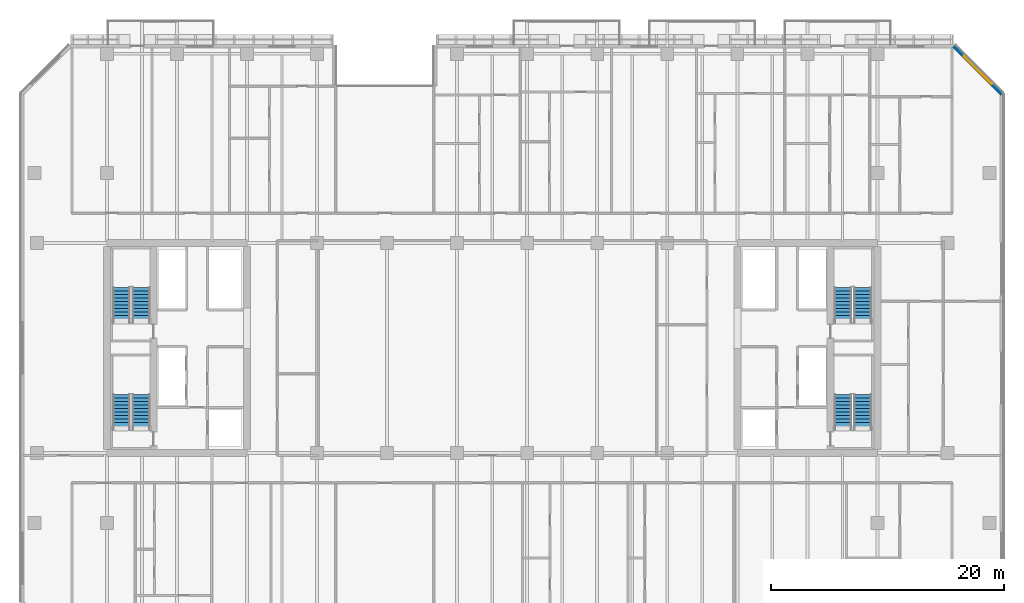
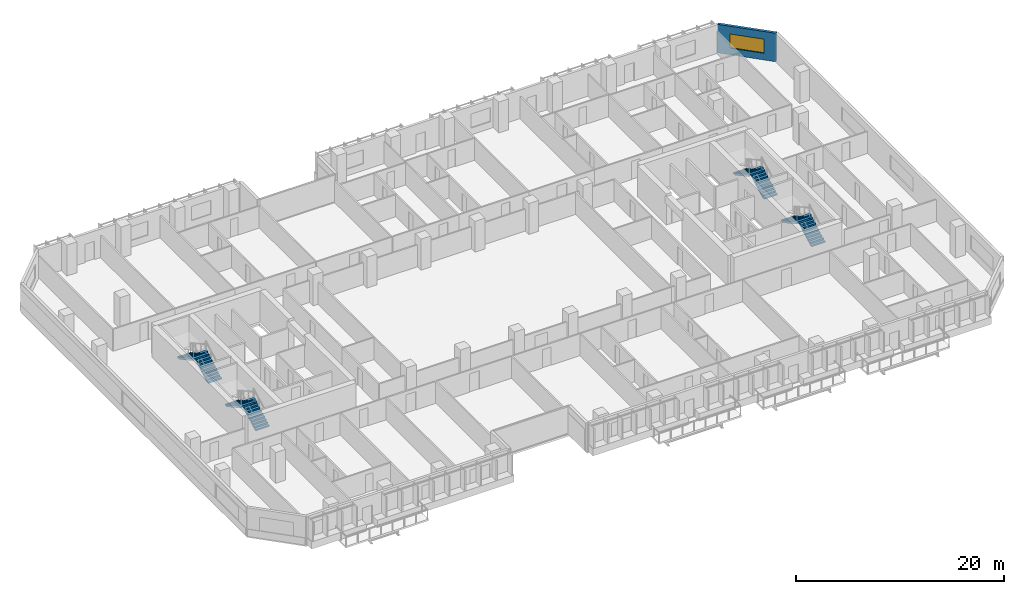
# One storey, part 16 of 25: 8 stair flights, 1 wall, 1 window, 1 opening, 4 elements without a shape of their own.
"""IFC4 building model written with IfcOpenShell, lengths in metres."""

from ifc_helpers import new_model, si_unit, direction, frame, frame_2d, origin, place, context, subcontext, project, spatial, polyline, rectangle, outline, extrude, material, layer, layer_set, type_object, element, fill, aggregate, save


model = new_model("IFC4")

# Units and contexts
model_context = context("Model", 3, precision=1e-05, world=origin(), true_north=direction((0.0, 1.0)))
body_context = subcontext(model_context, "Body", "Model", "MODEL_VIEW")
ifc_project = project(units=[si_unit("LENGTHUNIT", "METRE"), si_unit("AREAUNIT", "SQUARE_METRE"), si_unit("VOLUMEUNIT", "CUBIC_METRE"), si_unit("PLANEANGLEUNIT", "RADIAN"), si_unit("MASSUNIT", "GRAM", prefix="KILO")], contexts=[model_context])

# Site, building, storey
site_placement = place(None, origin())
site = spatial("IfcSite", under=ifc_project, at=site_placement, CompositionType="ELEMENT")
building_placement = place(site_placement, origin())
building = spatial("IfcBuilding", under=site, at=building_placement, Name="Tanjung Sevakor Pilgrim Tower", CompositionType="ELEMENT")
storey_placement = place(building_placement, frame((0.0, 0.0, 69.6298828125)))
storey = spatial("IfcBuildingStorey", under=building, at=storey_placement, Name="L19", CompositionType="ELEMENT", Elevation=69.6298828125)

# Wall, opening, window
ifc_material_1 = material(Name="Precast concrete C45/55", Category="concrete")
ifc_layer = layer(ifc_material_1, 0.280029296875)
ifc_layer_set = layer_set([ifc_layer], Name="WT-EW-STN2")
wall_type = type_object("IfcWallType", Name="WT-EW-STN2", PredefinedType="SOLIDWALL", material=ifc_layer_set)
wall_placement = place(storey_placement, frame((100.659912109375, 55.342041015625, 0.0), z_axis=(0.0, 0.0, 1.0), x_axis=(-0.707106781187, 0.707106781187, 0.0)))
wall = element("IfcWall", 1, at=wall_placement, inside=storey, type_object=wall_type, Name="L19 MAIN Sculpted Corner Wall 7", PredefinedType="SOLIDWALL", context=body_context, shape_type="SweptSolid", body=[
    extrude(rectangle(XDim=5.82373046875, YDim=0.280029296875, at=frame_2d((2.911865234375, 0.0))), origin(), (0.0, 0.0, 1.0), 3.35009765625),
])
opening_placement = place(wall_placement, frame((1.2119140625, 0.0, 0.780029296875)))
opening = element("IfcOpeningElement", 2, at=opening_placement, cuts=wall, Name="Opening WN-CHM-1660", PredefinedType="OPENING", context=body_context, shape_type="SweptSolid", body=[
    extrude(rectangle(XDim=3.39990234375, YDim=1.659912109375, at=frame_2d((1.699951171875, 0.830078125))), frame((0.0, 0.14990234375, 0.0), z_axis=(0.0, -1.0, 0.0), x_axis=(1.0, 0.0, 0.0)), (0.0, 0.0, 1.0), 0.300048828125),
])
ifc_material_2 = material(Name="Thermally Broken Aluminium and Low-E Glass", Category="aluminium")
window_type = type_object("IfcWindowType", Name="WTYP-WN-CHM-1660", PartitioningType="DOUBLE_PANEL_VERTICAL", PredefinedType="WINDOW", material=ifc_material_2)
window_placement = place(opening_placement, origin())
window = element("IfcWindow", 3, at=window_placement, inside=storey, type_object=window_type, Name="L19 Facade Window 01", OverallHeight=1.659912109375, OverallWidth=3.39990234375, PartitioningType="SINGLE_PANEL", PredefinedType="WINDOW", context=body_context, shape_type="SweptSolid", body=[
    extrude(rectangle(XDim=3.39990234375, YDim=1.659912109375, at=frame_2d((1.699951171875, 0.830078125))), frame((0.0, 0.030029296875, 0.0), z_axis=(0.0, -1.0, 0.0), x_axis=(1.0, 0.0, 0.0)), (0.0, 0.0, 1.0), 0.06005859375),
])
fill(opening, window)

# Stair, stair flights
ifc_material_3 = material(Name="Concrete C40/50", Category="concrete")
stair_type = type_object("IfcStairType", Name="STAIR-ST-CR150", PredefinedType="HALF_TURN_STAIR", material=ifc_material_3)
stair_1_placement = place(storey_placement, origin())
stair_1 = element("IfcStair", 4, at=stair_1_placement, inside=storey, type_object=stair_type, Name="L19 West Core Exit Stair 1", PredefinedType="HALF_TURN_STAIR")
ifc_material_4 = material(Name="Concrete C40/50", Category="concrete")
stair_flight_type = type_object("IfcStairFlightType", Name="FLIGHT-ST-CR150", PredefinedType="STRAIGHT", material=ifc_material_4)
stair_flight_1_placement = place(storey_placement, frame((26.949951171875, 26.60009765625, 0.0), z_axis=(0.0, 0.0, 1.0), x_axis=(0.0, 1.0, 0.0)))
stair_flight_1 = element("IfcStairFlight", 5, at=stair_flight_1_placement, type_object=stair_flight_type, Name="TS-W1 flight 1", NumberOfRisers=11, NumberOfTreads=10, PredefinedType="STRAIGHT", RiserHeight=0.165, TreadLength=0.3, context=body_context, shape_type="SweptSolid", body=[
    extrude(outline(polyline([(0.0, 0.0), (0.0, 0.1650390625), (0.300048828125, 0.1650390625), (0.300048828125, 0.330078125), (0.60009765625, 0.330078125), (0.60009765625, 0.4951171875), (0.89990234375, 0.4951171875), (0.89990234375, 0.659912109375), (1.199951171875, 0.659912109375), (1.199951171875, 0.824951171875), (1.5, 0.824951171875), (1.5, 0.989990234375), (1.800048828125, 0.989990234375), (1.800048828125, 1.155029296875), (2.10009765625, 1.155029296875), (2.10009765625, 1.320068359375), (2.39990234375, 1.320068359375), (2.39990234375, 1.485107421875), (2.699951171875, 1.485107421875), (2.699951171875, 1.64990234375), (3.0, 1.64990234375), (3.0, 1.81494140625), (3.0, 1.467529296875), (0.331787109375, 0.0), (0.0, 0.0)])), frame((0.0, 0.75, 0.0), z_axis=(0.0, -1.0, 0.0), x_axis=(1.0, 0.0, 0.0)), (0.0, 0.0, 1.0), 1.5),
])
stair_flight_2_placement = place(storey_placement, frame((25.25, 29.60009765625, 1.815185546875), z_axis=(0.0, 0.0, 1.0), x_axis=(0.0, -1.0, 0.0)))
stair_flight_2 = element("IfcStairFlight", 6, at=stair_flight_2_placement, type_object=stair_flight_type, Name="TS-W1 flight 2", NumberOfRisers=11, NumberOfTreads=10, PredefinedType="STRAIGHT", RiserHeight=0.165, TreadLength=0.3, context=body_context, shape_type="SweptSolid", body=[
    extrude(outline(polyline([(0.0, 0.0), (0.0, 0.1650390625), (0.300048828125, 0.1650390625), (0.300048828125, 0.330078125), (0.60009765625, 0.330078125), (0.60009765625, 0.4951171875), (0.89990234375, 0.4951171875), (0.89990234375, 0.659912109375), (1.199951171875, 0.659912109375), (1.199951171875, 0.824951171875), (1.5, 0.824951171875), (1.5, 0.989990234375), (1.800048828125, 0.989990234375), (1.800048828125, 1.155029296875), (2.10009765625, 1.155029296875), (2.10009765625, 1.320068359375), (2.39990234375, 1.320068359375), (2.39990234375, 1.485107421875), (2.699951171875, 1.485107421875), (2.699951171875, 1.64990234375), (3.0, 1.64990234375), (3.0, 1.81494140625), (3.0, 1.467529296875), (0.331787109375, 0.0), (0.0, 0.0)])), frame((0.0, 0.75, 0.0), z_axis=(0.0, -1.0, 0.0), x_axis=(1.0, 0.0, 0.0)), (0.0, 0.0, 1.0), 1.5),
])
aggregate(stair_1, [stair_flight_1, stair_flight_2])

stair_2_placement = place(storey_placement, origin())
stair_2 = element("IfcStair", 7, at=stair_2_placement, inside=storey, type_object=stair_type, Name="L19 West Core Exit Stair 2", PredefinedType="HALF_TURN_STAIR")
stair_flight_3_placement = place(storey_placement, frame((26.949951171875, 35.800048828125, 0.0), z_axis=(0.0, 0.0, 1.0), x_axis=(0.0, 1.0, 0.0)))
stair_flight_3 = element("IfcStairFlight", 8, at=stair_flight_3_placement, type_object=stair_flight_type, Name="TS-W2 flight 1", NumberOfRisers=11, NumberOfTreads=10, PredefinedType="STRAIGHT", RiserHeight=0.165, TreadLength=0.3, context=body_context, shape_type="SweptSolid", body=[
    extrude(outline(polyline([(0.0, 0.0), (0.0, 0.1650390625), (0.300048828125, 0.1650390625), (0.300048828125, 0.330078125), (0.60009765625, 0.330078125), (0.60009765625, 0.4951171875), (0.89990234375, 0.4951171875), (0.89990234375, 0.659912109375), (1.199951171875, 0.659912109375), (1.199951171875, 0.824951171875), (1.5, 0.824951171875), (1.5, 0.989990234375), (1.800048828125, 0.989990234375), (1.800048828125, 1.155029296875), (2.10009765625, 1.155029296875), (2.10009765625, 1.320068359375), (2.39990234375, 1.320068359375), (2.39990234375, 1.485107421875), (2.699951171875, 1.485107421875), (2.699951171875, 1.64990234375), (3.0, 1.64990234375), (3.0, 1.81494140625), (3.0, 1.467529296875), (0.331787109375, 0.0), (0.0, 0.0)])), frame((0.0, 0.75, 0.0), z_axis=(0.0, -1.0, 0.0), x_axis=(1.0, 0.0, 0.0)), (0.0, 0.0, 1.0), 1.5),
])
stair_flight_4_placement = place(storey_placement, frame((25.25, 38.800048828125, 1.815185546875), z_axis=(0.0, 0.0, 1.0), x_axis=(0.0, -1.0, 0.0)))
stair_flight_4 = element("IfcStairFlight", 9, at=stair_flight_4_placement, type_object=stair_flight_type, Name="TS-W2 flight 2", NumberOfRisers=11, NumberOfTreads=10, PredefinedType="STRAIGHT", RiserHeight=0.165, TreadLength=0.3, context=body_context, shape_type="SweptSolid", body=[
    extrude(outline(polyline([(0.0, 0.0), (0.0, 0.1650390625), (0.300048828125, 0.1650390625), (0.300048828125, 0.330078125), (0.60009765625, 0.330078125), (0.60009765625, 0.4951171875), (0.89990234375, 0.4951171875), (0.89990234375, 0.659912109375), (1.199951171875, 0.659912109375), (1.199951171875, 0.824951171875), (1.5, 0.824951171875), (1.5, 0.989990234375), (1.800048828125, 0.989990234375), (1.800048828125, 1.155029296875), (2.10009765625, 1.155029296875), (2.10009765625, 1.320068359375), (2.39990234375, 1.320068359375), (2.39990234375, 1.485107421875), (2.699951171875, 1.485107421875), (2.699951171875, 1.64990234375), (3.0, 1.64990234375), (3.0, 1.81494140625), (3.0, 1.467529296875), (0.331787109375, 0.0), (0.0, 0.0)])), frame((0.0, 0.75, 0.0), z_axis=(0.0, -1.0, 0.0), x_axis=(1.0, 0.0, 0.0)), (0.0, 0.0, 1.0), 1.5),
])
aggregate(stair_2, [stair_flight_3, stair_flight_4])

stair_3_placement = place(storey_placement, origin())
stair_3 = element("IfcStair", 10, at=stair_3_placement, inside=storey, type_object=stair_type, Name="L19 East Core Exit Stair 1", PredefinedType="HALF_TURN_STAIR")
stair_flight_5_placement = place(storey_placement, frame((88.75, 26.60009765625, 0.0), z_axis=(0.0, 0.0, 1.0), x_axis=(0.0, 1.0, 0.0)))
stair_flight_5 = element("IfcStairFlight", 11, at=stair_flight_5_placement, type_object=stair_flight_type, Name="TS-E1 flight 1", NumberOfRisers=11, NumberOfTreads=10, PredefinedType="STRAIGHT", RiserHeight=0.165, TreadLength=0.3, context=body_context, shape_type="SweptSolid", body=[
    extrude(outline(polyline([(0.0, 0.0), (0.0, 0.1650390625), (0.300048828125, 0.1650390625), (0.300048828125, 0.330078125), (0.60009765625, 0.330078125), (0.60009765625, 0.4951171875), (0.89990234375, 0.4951171875), (0.89990234375, 0.659912109375), (1.199951171875, 0.659912109375), (1.199951171875, 0.824951171875), (1.5, 0.824951171875), (1.5, 0.989990234375), (1.800048828125, 0.989990234375), (1.800048828125, 1.155029296875), (2.10009765625, 1.155029296875), (2.10009765625, 1.320068359375), (2.39990234375, 1.320068359375), (2.39990234375, 1.485107421875), (2.699951171875, 1.485107421875), (2.699951171875, 1.64990234375), (3.0, 1.64990234375), (3.0, 1.81494140625), (3.0, 1.467529296875), (0.331787109375, 0.0), (0.0, 0.0)])), frame((0.0, 0.75, 0.0), z_axis=(0.0, -1.0, 0.0), x_axis=(1.0, 0.0, 0.0)), (0.0, 0.0, 1.0), 1.5),
])
stair_flight_6_placement = place(storey_placement, frame((87.050048828125, 29.60009765625, 1.815185546875), z_axis=(0.0, 0.0, 1.0), x_axis=(0.0, -1.0, 0.0)))
stair_flight_6 = element("IfcStairFlight", 12, at=stair_flight_6_placement, type_object=stair_flight_type, Name="TS-E1 flight 2", NumberOfRisers=11, NumberOfTreads=10, PredefinedType="STRAIGHT", RiserHeight=0.165, TreadLength=0.3, context=body_context, shape_type="SweptSolid", body=[
    extrude(outline(polyline([(0.0, 0.0), (0.0, 0.1650390625), (0.300048828125, 0.1650390625), (0.300048828125, 0.330078125), (0.60009765625, 0.330078125), (0.60009765625, 0.4951171875), (0.89990234375, 0.4951171875), (0.89990234375, 0.659912109375), (1.199951171875, 0.659912109375), (1.199951171875, 0.824951171875), (1.5, 0.824951171875), (1.5, 0.989990234375), (1.800048828125, 0.989990234375), (1.800048828125, 1.155029296875), (2.10009765625, 1.155029296875), (2.10009765625, 1.320068359375), (2.39990234375, 1.320068359375), (2.39990234375, 1.485107421875), (2.699951171875, 1.485107421875), (2.699951171875, 1.64990234375), (3.0, 1.64990234375), (3.0, 1.81494140625), (3.0, 1.467529296875), (0.331787109375, 0.0), (0.0, 0.0)])), frame((0.0, 0.75, 0.0), z_axis=(0.0, -1.0, 0.0), x_axis=(1.0, 0.0, 0.0)), (0.0, 0.0, 1.0), 1.5),
])
aggregate(stair_3, [stair_flight_5, stair_flight_6])

stair_4_placement = place(storey_placement, origin())
stair_4 = element("IfcStair", 13, at=stair_4_placement, inside=storey, type_object=stair_type, Name="L19 East Core Exit Stair 2", PredefinedType="HALF_TURN_STAIR")
stair_flight_7_placement = place(storey_placement, frame((88.75, 35.800048828125, 0.0), z_axis=(0.0, 0.0, 1.0), x_axis=(0.0, 1.0, 0.0)))
stair_flight_7 = element("IfcStairFlight", 14, at=stair_flight_7_placement, type_object=stair_flight_type, Name="TS-E2 flight 1", NumberOfRisers=11, NumberOfTreads=10, PredefinedType="STRAIGHT", RiserHeight=0.165, TreadLength=0.3, context=body_context, shape_type="SweptSolid", body=[
    extrude(outline(polyline([(0.0, 0.0), (0.0, 0.1650390625), (0.300048828125, 0.1650390625), (0.300048828125, 0.330078125), (0.60009765625, 0.330078125), (0.60009765625, 0.4951171875), (0.89990234375, 0.4951171875), (0.89990234375, 0.659912109375), (1.199951171875, 0.659912109375), (1.199951171875, 0.824951171875), (1.5, 0.824951171875), (1.5, 0.989990234375), (1.800048828125, 0.989990234375), (1.800048828125, 1.155029296875), (2.10009765625, 1.155029296875), (2.10009765625, 1.320068359375), (2.39990234375, 1.320068359375), (2.39990234375, 1.485107421875), (2.699951171875, 1.485107421875), (2.699951171875, 1.64990234375), (3.0, 1.64990234375), (3.0, 1.81494140625), (3.0, 1.467529296875), (0.331787109375, 0.0), (0.0, 0.0)])), frame((0.0, 0.75, 0.0), z_axis=(0.0, -1.0, 0.0), x_axis=(1.0, 0.0, 0.0)), (0.0, 0.0, 1.0), 1.5),
])
stair_flight_8_placement = place(storey_placement, frame((87.050048828125, 38.800048828125, 1.815185546875), z_axis=(0.0, 0.0, 1.0), x_axis=(0.0, -1.0, 0.0)))
stair_flight_8 = element("IfcStairFlight", 15, at=stair_flight_8_placement, type_object=stair_flight_type, Name="TS-E2 flight 2", NumberOfRisers=11, NumberOfTreads=10, PredefinedType="STRAIGHT", RiserHeight=0.165, TreadLength=0.3, context=body_context, shape_type="SweptSolid", body=[
    extrude(outline(polyline([(0.0, 0.0), (0.0, 0.1650390625), (0.300048828125, 0.1650390625), (0.300048828125, 0.330078125), (0.60009765625, 0.330078125), (0.60009765625, 0.4951171875), (0.89990234375, 0.4951171875), (0.89990234375, 0.659912109375), (1.199951171875, 0.659912109375), (1.199951171875, 0.824951171875), (1.5, 0.824951171875), (1.5, 0.989990234375), (1.800048828125, 0.989990234375), (1.800048828125, 1.155029296875), (2.10009765625, 1.155029296875), (2.10009765625, 1.320068359375), (2.39990234375, 1.320068359375), (2.39990234375, 1.485107421875), (2.699951171875, 1.485107421875), (2.699951171875, 1.64990234375), (3.0, 1.64990234375), (3.0, 1.81494140625), (3.0, 1.467529296875), (0.331787109375, 0.0), (0.0, 0.0)])), frame((0.0, 0.75, 0.0), z_axis=(0.0, -1.0, 0.0), x_axis=(1.0, 0.0, 0.0)), (0.0, 0.0, 1.0), 1.5),
])
aggregate(stair_4, [stair_flight_7, stair_flight_8])

save(model, "model.ifc")
